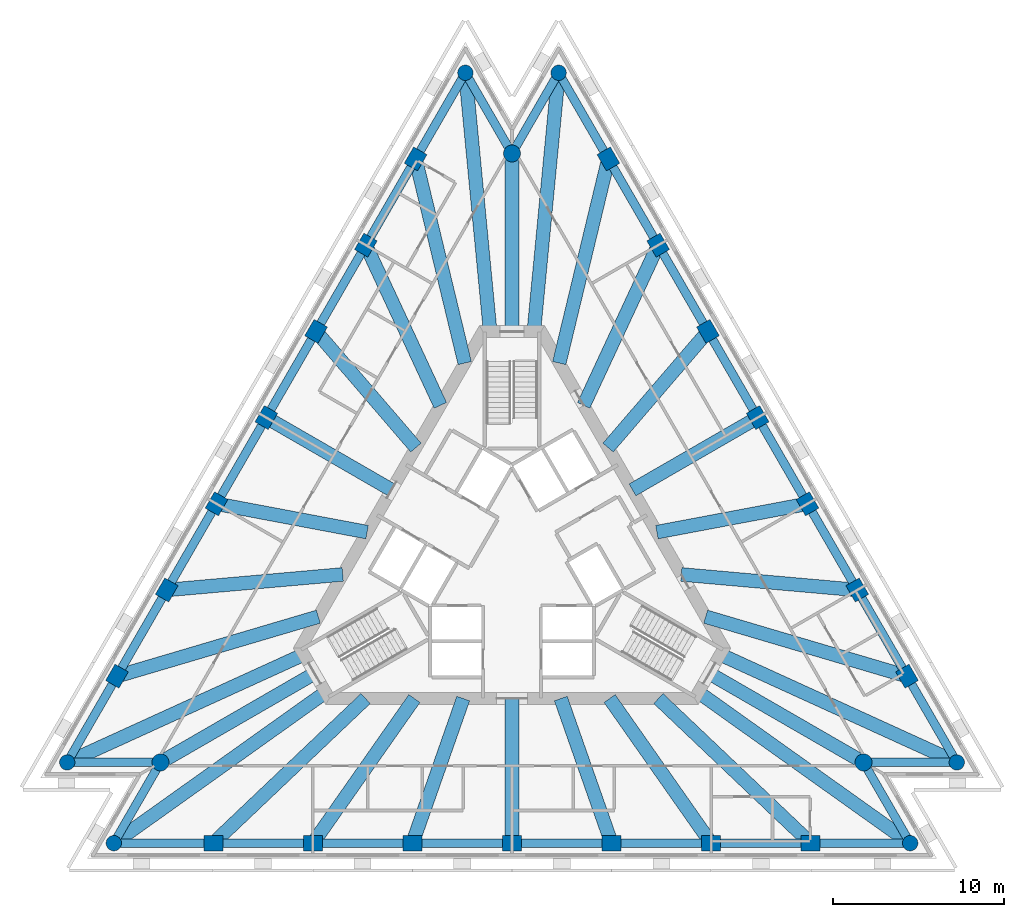
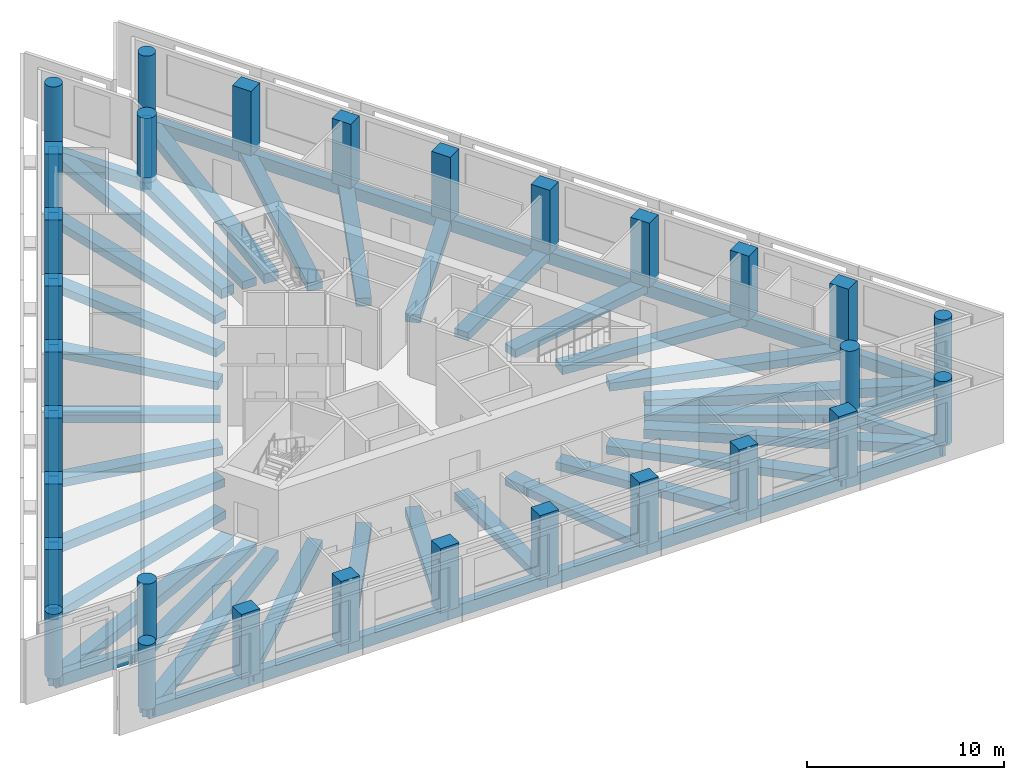
# One storey, part 1 of 10: 60 beams, 30 columns.
"""IFC4 building model written with IfcOpenShell, lengths in metres."""

from ifc_helpers import new_model, si_unit, direction, frame, origin, origin_2d, place, context, subcontext, project, spatial, rectangle, circle, extrude, material, material_profile, profile_set, type_object, element, save


model = new_model("IFC4")

# Units and contexts
model_context = context("Model", 3, precision=1e-05, world=origin(), true_north=direction((0.0, 1.0)))
body_context = subcontext(model_context, "Body", "Model", "MODEL_VIEW")
ifc_project = project(units=[si_unit("LENGTHUNIT", "METRE"), si_unit("AREAUNIT", "SQUARE_METRE"), si_unit("VOLUMEUNIT", "CUBIC_METRE"), si_unit("PLANEANGLEUNIT", "RADIAN"), si_unit("MASSUNIT", "GRAM", prefix="KILO")], contexts=[model_context])

# Site, building, storey
site_placement = place(None, origin())
site = spatial("IfcSite", under=ifc_project, at=site_placement, CompositionType="ELEMENT")
building_placement = place(site_placement, origin())
building = spatial("IfcBuilding", under=site, at=building_placement, Name="Triada Interchange Tower", CompositionType="ELEMENT")
storey_placement = place(building_placement, frame((0.0, 0.0, 247.300048828125)))
storey = spatial("IfcBuildingStorey", under=building, at=storey_placement, Name="L58", CompositionType="ELEMENT", Elevation=247.300048828125)

# Columns
ifc_material = material(Name="Concrete C50/60", Category="concrete")
ifc_material_profile_1 = material_profile(ifc_material, rectangle(XDim=1.10009765625, YDim=0.89990234375, at=origin_2d()), Name="RC 1100x900")
ifc_profile_set_1 = profile_set([ifc_material_profile_1], Name="Concrete C50/60")
column_type_1 = type_object("IfcColumnType", Name="Column C face RC 1100x900", PredefinedType="COLUMN", material=ifc_profile_set_1)
for number, where, z_axis, x_axis, name in (
    (1, (-5.64794921875, 23.466064453125, -0.300048828125), (0.0, 0.0, 1.0), (0.5, 0.866025403784, 0.0), "Column CC02 L58"),
    (2, (-8.56396484375, 18.4140625, -0.300048828125), (0.0, 0.0, 1.0), (0.5, 0.866025403784, 0.0), "Column CC03 L58"),
    (3, (-11.48095703125, 13.363037109375, -0.300048828125), (0.0, 0.0, 1.0), (0.5, 0.866025403784, 0.0), "Column CC04 L58"),
    (4, (-14.39697265625, 8.31201171875, -0.300048828125), (0.0, 0.0, 1.0), (0.5, 0.866025403784, 0.0), "Column CC05 L58"),
    (5, (-17.31298828125, 3.260986328125, -0.300048828125), (0.0, 0.0, 1.0), (0.5, 0.866025403784, 0.0), "Column CC06 L58"),
    (6, (-20.22998046875, -1.7900390625, -0.300048828125), (0.0, 0.0, 1.0), (0.5, 0.866025403784, 0.0), "Column CC07 L58"),
    (7, (-23.14599609375, -6.842041015625, -0.300048828125), (0.0, 0.0, 1.0), (0.5, 0.866025403784, 0.0), "Column CC08 L58"),
    (8, (-17.498046875, -16.6240234375, -0.300048828125), (0.0, 0.0, 1.0), (1.0, 0.0, 0.0), "Column CC11 L58"),
    (9, (-11.6650390625, -16.6240234375, -0.300048828125), (0.0, 0.0, 1.0), (1.0, 0.0, 0.0), "Column CC12 L58"),
    (10, (-5.83203125, -16.6240234375, -0.300048828125), (0.0, 0.0, 1.0), (1.0, 0.0, 0.0), "Column CC13 L58"),
    (11, (0.0, -16.6240234375, -0.300048828125), (0.0, 0.0, 1.0), (1.0, 0.0, 0.0), "Column CC14 L58"),
    (12, (5.83203125, -16.6240234375, -0.300048828125), (0.0, 0.0, 1.0), (1.0, 0.0, 0.0), "Column CC15 L58"),
    (13, (11.6650390625, -16.6240234375, -0.300048828125), (0.0, 0.0, 1.0), (1.0, 0.0, 0.0), "Column CC16 L58"),
    (14, (17.498046875, -16.6240234375, -0.300048828125), (0.0, 0.0, 1.0), (1.0, 0.0, 0.0), "Column CC17 L58"),
    (15, (23.14599609375, -6.842041015625, -0.300048828125), (0.0, 0.0, 1.0), (-0.5, 0.866025403784, 0.0), "Column CC20 L58"),
    (16, (20.22998046875, -1.791015625, -0.300048828125), (0.0, 0.0, 1.0), (-0.5, 0.866025403784, 0.0), "Column CC21 L58"),
    (17, (17.31298828125, 3.260986328125, -0.300048828125), (0.0, 0.0, 1.0), (-0.5, 0.866025403784, 0.0), "Column CC22 L58"),
    (18, (14.39697265625, 8.31201171875, -0.300048828125), (0.0, 0.0, 1.0), (-0.5, 0.866025403784, 0.0), "Column CC23 L58"),
    (19, (11.48095703125, 13.363037109375, -0.300048828125), (0.0, 0.0, 1.0), (-0.5, 0.866025403784, 0.0), "Column CC24 L58"),
    (20, (8.56396484375, 18.4140625, -0.300048828125), (0.0, 0.0, 1.0), (-0.5, 0.866025403784, 0.0), "Column CC25 L58"),
    (21, (5.64794921875, 23.466064453125, -0.300048828125), (0.0, 0.0, 1.0), (-0.5, 0.866025403784, 0.0), "Column CC26 L58"),
):
    element("IfcColumn", number, at=place(storey_placement, frame(where, z_axis=z_axis, x_axis=x_axis)), inside=storey, type_object=column_type_1, Name=name, PredefinedType="COLUMN", context=body_context, shape_type="SweptSolid", body=[
        extrude(rectangle(XDim=1.10009765625, YDim=0.89990234375, at=origin_2d()), origin(), (0.0, 0.0, 1.0), 4.0),
    ])
ifc_material_profile_2 = material_profile(ifc_material, circle(Radius=0.449951171875, at=origin_2d()), Name="RC D900")
ifc_profile_set_2 = profile_set([ifc_material_profile_2], Name="Concrete C50/60")
column_type_2 = type_object("IfcColumnType", Name="End column C RC D900", PredefinedType="COLUMN", material=ifc_profile_set_2)
for number, where, z_axis, x_axis, name in (
    (22, (-2.73193359375, 28.51708984375, -0.300048828125), (0.0, 0.0, 1.0), (0.5, 0.866025403784, 0.0), "Column CC01 L58"),
    (23, (-26.06201171875, -11.89306640625, -0.300048828125), (0.0, 0.0, 1.0), (0.5, 0.866025403784, 0.0), "Column CC09 L58"),
    (24, (-23.330078125, -16.6240234375, -0.300048828125), (0.0, 0.0, 1.0), (1.0, 0.0, 0.0), "Column CC10 L58"),
    (25, (23.330078125, -16.6240234375, -0.300048828125), (0.0, 0.0, 1.0), (1.0, 0.0, 0.0), "Column CC18 L58"),
    (26, (26.06201171875, -11.89306640625, -0.300048828125), (0.0, 0.0, 1.0), (-0.5, 0.866025403784, 0.0), "Column CC19 L58"),
    (27, (2.73193359375, 28.51708984375, -0.300048828125), (0.0, 0.0, 1.0), (-0.5, 0.866025403784, 0.0), "Column CC27 L58"),
):
    element("IfcColumn", number, at=place(storey_placement, frame(where, z_axis=z_axis, x_axis=x_axis)), inside=storey, type_object=column_type_2, Name=name, PredefinedType="COLUMN", context=body_context, shape_type="SweptSolid", body=[
        extrude(circle(Radius=0.449951171875, at=origin_2d()), origin(), (0.0, 0.0, 1.0), 4.0),
    ])
ifc_material_profile_3 = material_profile(ifc_material, circle(Radius=0.5, at=origin_2d()), Name="RC D1000")
ifc_profile_set_3 = profile_set([ifc_material_profile_3], Name="Concrete C50/60")
column_type_3 = type_object("IfcColumnType", Name="Mega column C RC D1000", PredefinedType="COLUMN", material=ifc_profile_set_3)
for number, where, z_axis, x_axis, name in (
    (28, (0.0, 23.784912109375, -0.300048828125), (0.0, 0.0, 1.0), (1.0, 0.0, 0.0), "Column MC1 L58"),
    (29, (-20.597900390625, -11.89306640625, -0.300048828125), (0.0, 0.0, 1.0), (1.0, 0.0, 0.0), "Column MC2 L58"),
    (30, (20.597900390625, -11.89306640625, -0.300048828125), (0.0, 0.0, 1.0), (1.0, 0.0, 0.0), "Column MC3 L58"),
):
    element("IfcColumn", number, at=place(storey_placement, frame(where, z_axis=z_axis, x_axis=x_axis)), inside=storey, type_object=column_type_3, Name=name, PredefinedType="COLUMN", context=body_context, shape_type="SweptSolid", body=[
        extrude(circle(Radius=0.5, at=origin_2d()), origin(), (0.0, 0.0, 1.0), 4.0),
    ])

# Beams
ifc_material_profile_4 = material_profile(ifc_material, rectangle(XDim=0.800048828125, YDim=0.5, at=origin_2d()), Name="RC 800x500")
ifc_profile_set_4 = profile_set([ifc_material_profile_4], Name="Concrete C50/60")
beam_type_1 = type_object("IfcBeamType", Name="Radial band beam C RC 800x500", PredefinedType="BEAM", material=ifc_profile_set_4)
beam_1_placement = place(storey_placement, frame((-5.64794921875, 23.466064453125, -0.550048828125), z_axis=(0.2339868033, -0.972239772835, 0.0), x_axis=(0.972239772835, 0.2339868033, 0.0)))
element("IfcBeam", 31, at=beam_1_placement, inside=storey, type_object=beam_type_1, Name="Radial band beam BC02 L58", PredefinedType="BEAM", context=body_context, shape_type="SweptSolid", body=[
    extrude(rectangle(XDim=0.800048828125, YDim=0.5, at=origin_2d()), origin(), (0.0, 0.0, 1.0), 12.3037109375),
])
beam_2_placement = place(storey_placement, frame((-8.56396484375, 18.4140625, -0.550048828125), z_axis=(0.421684301866, -0.906742714092, 0.0), x_axis=(0.906742714092, 0.421684301866, 0.0)))
element("IfcBeam", 32, at=beam_2_placement, inside=storey, type_object=beam_type_1, Name="Radial band beam BC03 L58", PredefinedType="BEAM", context=body_context, shape_type="SweptSolid", body=[
    extrude(rectangle(XDim=0.800048828125, YDim=0.5, at=origin_2d()), origin(), (0.0, 0.0, 1.0), 10.351318359375),
])
beam_3_placement = place(storey_placement, frame((-11.48095703125, 13.363037109375, -0.550048828125), z_axis=(0.651699799065, -0.758477008155, 0.0), x_axis=(0.758477008155, 0.651699799065, 0.0)))
element("IfcBeam", 33, at=beam_3_placement, inside=storey, type_object=beam_type_1, Name="Radial band beam BC04 L58", PredefinedType="BEAM", context=body_context, shape_type="SweptSolid", body=[
    extrude(rectangle(XDim=0.800048828125, YDim=0.5, at=origin_2d()), origin(), (0.0, 0.0, 1.0), 8.981201171875),
])
beam_4_placement = place(storey_placement, frame((-14.39697265625, 8.31201171875, -0.550048828125), z_axis=(0.866027263711, -0.4999967785, 0.0), x_axis=(0.4999967785, 0.866027263711, 0.0)))
element("IfcBeam", 34, at=beam_4_placement, inside=storey, type_object=beam_type_1, Name="Radial band beam BC05 L58", PredefinedType="BEAM", context=body_context, shape_type="SweptSolid", body=[
    extrude(rectangle(XDim=0.800048828125, YDim=0.5, at=origin_2d()), origin(), (0.0, 0.0, 1.0), 8.47412109375),
])
beam_5_placement = place(storey_placement, frame((-17.31298828125, 3.260986328125, -0.550048828125), z_axis=(0.982726919952, -0.185061613526, 0.0), x_axis=(0.185061613526, 0.982726919952, 0.0)))
element("IfcBeam", 35, at=beam_5_placement, inside=storey, type_object=beam_type_1, Name="Radial band beam BC06 L58", PredefinedType="BEAM", context=body_context, shape_type="SweptSolid", body=[
    extrude(rectangle(XDim=0.800048828125, YDim=0.5, at=origin_2d()), origin(), (0.0, 0.0, 1.0), 8.97998046875),
])
beam_6_placement = place(storey_placement, frame((-20.22998046875, -1.7900390625, -0.550048828125), z_axis=(0.996111733223, 0.088098892934, 0.0), x_axis=(-0.088098892934, 0.996111733223, 0.0)))
element("IfcBeam", 36, at=beam_6_placement, inside=storey, type_object=beam_type_1, Name="Radial band beam BC07 L58", PredefinedType="BEAM", context=body_context, shape_type="SweptSolid", body=[
    extrude(rectangle(XDim=0.800048828125, YDim=0.5, at=origin_2d()), origin(), (0.0, 0.0, 1.0), 10.353271484375),
])
beam_7_placement = place(storey_placement, frame((-23.14599609375, -6.842041015625, -0.550048828125), z_axis=(0.95897468421, 0.283491719533, 0.0), x_axis=(-0.283491719533, 0.95897468421, 0.0)))
element("IfcBeam", 37, at=beam_7_placement, inside=storey, type_object=beam_type_1, Name="Radial band beam BC08 L58", PredefinedType="BEAM", context=body_context, shape_type="SweptSolid", body=[
    extrude(rectangle(XDim=0.800048828125, YDim=0.5, at=origin_2d()), origin(), (0.0, 0.0, 1.0), 12.303955078125),
])
beam_8_placement = place(storey_placement, frame((-20.597900390625, -11.89306640625, -0.550048828125), z_axis=(0.866001293771, 0.500041757443, 0.0), x_axis=(-0.500041757443, 0.866001293771, 0.0)))
element("IfcBeam", 38, at=beam_8_placement, inside=storey, type_object=beam_type_1, Name="Radial band beam BC10 L58", PredefinedType="BEAM", context=body_context, shape_type="SweptSolid", body=[
    extrude(rectangle(XDim=0.800048828125, YDim=0.5, at=origin_2d()), origin(), (0.0, 0.0, 1.0), 10.43505859375),
])
beam_9_placement = place(storey_placement, frame((-17.498046875, -16.6240234375, -0.550048828125), z_axis=(0.725000919856, 0.688747897425, 0.0), x_axis=(-0.688747897425, 0.725000919856, 0.0)))
element("IfcBeam", 39, at=beam_9_placement, inside=storey, type_object=beam_type_1, Name="Radial band beam BC12 L58", PredefinedType="BEAM", context=body_context, shape_type="SweptSolid", body=[
    extrude(rectangle(XDim=0.800048828125, YDim=0.5, at=origin_2d()), origin(), (0.0, 0.0, 1.0), 12.3037109375),
])
beam_10_placement = place(storey_placement, frame((-11.6650390625, -16.6240234375, -0.550048828125), z_axis=(0.574380005921, 0.818588791029, 0.0), x_axis=(-0.818588791029, 0.574380005921, 0.0)))
element("IfcBeam", 40, at=beam_10_placement, inside=storey, type_object=beam_type_1, Name="Radial band beam BC13 L58", PredefinedType="BEAM", context=body_context, shape_type="SweptSolid", body=[
    extrude(rectangle(XDim=0.800048828125, YDim=0.5, at=origin_2d()), origin(), (0.0, 0.0, 1.0), 10.35205078125),
])
beam_11_placement = place(storey_placement, frame((-5.83203125, -16.6240234375, -0.550048828125), z_axis=(0.331064781468, 0.943608027982, 0.0), x_axis=(-0.943608027982, 0.331064781468, 0.0)))
element("IfcBeam", 41, at=beam_11_placement, inside=storey, type_object=beam_type_1, Name="Radial band beam BC14 L58", PredefinedType="BEAM", context=body_context, shape_type="SweptSolid", body=[
    extrude(rectangle(XDim=0.800048828125, YDim=0.5, at=origin_2d()), origin(), (0.0, 0.0, 1.0), 8.98046875),
])
beam_12_placement = place(storey_placement, frame((0.0, -16.6240234375, -0.550048828125), z_axis=(0.0, 1.0, 0.0), x_axis=(-1.0, 0.0, 0.0)))
element("IfcBeam", 42, at=beam_12_placement, inside=storey, type_object=beam_type_1, Name="Radial band beam BC15 L58", PredefinedType="BEAM", context=body_context, shape_type="SweptSolid", body=[
    extrude(rectangle(XDim=0.800048828125, YDim=0.5, at=origin_2d()), origin(), (0.0, 0.0, 1.0), 8.47412109375),
])
beam_13_placement = place(storey_placement, frame((5.83203125, -16.6240234375, -0.550048828125), z_axis=(-0.331064781468, 0.943608027982, 0.0), x_axis=(-0.943608027982, -0.331064781468, 0.0)))
element("IfcBeam", 43, at=beam_13_placement, inside=storey, type_object=beam_type_1, Name="Radial band beam BC16 L58", PredefinedType="BEAM", context=body_context, shape_type="SweptSolid", body=[
    extrude(rectangle(XDim=0.800048828125, YDim=0.5, at=origin_2d()), origin(), (0.0, 0.0, 1.0), 8.98046875),
])
beam_14_placement = place(storey_placement, frame((11.6650390625, -16.6240234375, -0.550048828125), z_axis=(-0.574380005921, 0.818588791029, 0.0), x_axis=(-0.818588791029, -0.574380005921, 0.0)))
element("IfcBeam", 44, at=beam_14_placement, inside=storey, type_object=beam_type_1, Name="Radial band beam BC17 L58", PredefinedType="BEAM", context=body_context, shape_type="SweptSolid", body=[
    extrude(rectangle(XDim=0.800048828125, YDim=0.5, at=origin_2d()), origin(), (0.0, 0.0, 1.0), 10.35205078125),
])
beam_15_placement = place(storey_placement, frame((17.498046875, -16.6240234375, -0.550048828125), z_axis=(-0.725000919856, 0.688747897425, 0.0), x_axis=(-0.688747897425, -0.725000919856, 0.0)))
element("IfcBeam", 45, at=beam_15_placement, inside=storey, type_object=beam_type_1, Name="Radial band beam BC18 L58", PredefinedType="BEAM", context=body_context, shape_type="SweptSolid", body=[
    extrude(rectangle(XDim=0.800048828125, YDim=0.5, at=origin_2d()), origin(), (0.0, 0.0, 1.0), 12.3037109375),
])
beam_16_placement = place(storey_placement, frame((20.597900390625, -11.89306640625, -0.550048828125), z_axis=(-0.866001293771, 0.500041757443, 0.0), x_axis=(-0.500041757443, -0.866001293771, 0.0)))
element("IfcBeam", 46, at=beam_16_placement, inside=storey, type_object=beam_type_1, Name="Radial band beam BC20 L58", PredefinedType="BEAM", context=body_context, shape_type="SweptSolid", body=[
    extrude(rectangle(XDim=0.800048828125, YDim=0.5, at=origin_2d()), origin(), (0.0, 0.0, 1.0), 10.43505859375),
])
beam_17_placement = place(storey_placement, frame((23.14599609375, -6.842041015625, -0.550048828125), z_axis=(-0.95897468421, 0.283491719533, 0.0), x_axis=(-0.283491719533, -0.95897468421, 0.0)))
element("IfcBeam", 47, at=beam_17_placement, inside=storey, type_object=beam_type_1, Name="Radial band beam BC22 L58", PredefinedType="BEAM", context=body_context, shape_type="SweptSolid", body=[
    extrude(rectangle(XDim=0.800048828125, YDim=0.5, at=origin_2d()), origin(), (0.0, 0.0, 1.0), 12.303955078125),
])
beam_18_placement = place(storey_placement, frame((20.22998046875, -1.791015625, -0.550048828125), z_axis=(-0.996102717596, 0.08820077096, 0.0), x_axis=(-0.08820077096, -0.996102717596, 0.0)))
element("IfcBeam", 48, at=beam_18_placement, inside=storey, type_object=beam_type_1, Name="Radial band beam BC23 L58", PredefinedType="BEAM", context=body_context, shape_type="SweptSolid", body=[
    extrude(rectangle(XDim=0.800048828125, YDim=0.5, at=origin_2d()), origin(), (0.0, 0.0, 1.0), 10.352294921875),
])
beam_19_placement = place(storey_placement, frame((17.31298828125, 3.260986328125, -0.550048828125), z_axis=(-0.982726919952, -0.185061613526, 0.0), x_axis=(0.185061613526, -0.982726919952, 0.0)))
element("IfcBeam", 49, at=beam_19_placement, inside=storey, type_object=beam_type_1, Name="Radial band beam BC24 L58", PredefinedType="BEAM", context=body_context, shape_type="SweptSolid", body=[
    extrude(rectangle(XDim=0.800048828125, YDim=0.5, at=origin_2d()), origin(), (0.0, 0.0, 1.0), 8.97998046875),
])
beam_20_placement = place(storey_placement, frame((14.39697265625, 8.31201171875, -0.550048828125), z_axis=(-0.866027263711, -0.4999967785, 0.0), x_axis=(0.4999967785, -0.866027263711, 0.0)))
element("IfcBeam", 50, at=beam_20_placement, inside=storey, type_object=beam_type_1, Name="Radial band beam BC25 L58", PredefinedType="BEAM", context=body_context, shape_type="SweptSolid", body=[
    extrude(rectangle(XDim=0.800048828125, YDim=0.5, at=origin_2d()), origin(), (0.0, 0.0, 1.0), 8.47412109375),
])
beam_21_placement = place(storey_placement, frame((11.48095703125, 13.363037109375, -0.550048828125), z_axis=(-0.651699799065, -0.758477008155, 0.0), x_axis=(0.758477008155, -0.651699799065, 0.0)))
element("IfcBeam", 51, at=beam_21_placement, inside=storey, type_object=beam_type_1, Name="Radial band beam BC26 L58", PredefinedType="BEAM", context=body_context, shape_type="SweptSolid", body=[
    extrude(rectangle(XDim=0.800048828125, YDim=0.5, at=origin_2d()), origin(), (0.0, 0.0, 1.0), 8.981201171875),
])
beam_22_placement = place(storey_placement, frame((8.56396484375, 18.4140625, -0.550048828125), z_axis=(-0.421684301866, -0.906742714092, 0.0), x_axis=(0.906742714092, -0.421684301866, 0.0)))
element("IfcBeam", 52, at=beam_22_placement, inside=storey, type_object=beam_type_1, Name="Radial band beam BC27 L58", PredefinedType="BEAM", context=body_context, shape_type="SweptSolid", body=[
    extrude(rectangle(XDim=0.800048828125, YDim=0.5, at=origin_2d()), origin(), (0.0, 0.0, 1.0), 10.351318359375),
])
beam_23_placement = place(storey_placement, frame((5.64794921875, 23.466064453125, -0.550048828125), z_axis=(-0.2339868033, -0.972239772835, 0.0), x_axis=(0.972239772835, -0.2339868033, 0.0)))
element("IfcBeam", 53, at=beam_23_placement, inside=storey, type_object=beam_type_1, Name="Radial band beam BC28 L58", PredefinedType="BEAM", context=body_context, shape_type="SweptSolid", body=[
    extrude(rectangle(XDim=0.800048828125, YDim=0.5, at=origin_2d()), origin(), (0.0, 0.0, 1.0), 12.3037109375),
])
beam_24_placement = place(storey_placement, frame((0.0, 23.784912109375, -0.550048828125), z_axis=(0.0, -1.0, 0.0), x_axis=(1.0, 0.0, 0.0)))
element("IfcBeam", 54, at=beam_24_placement, inside=storey, type_object=beam_type_1, Name="Radial band beam BC30 L58", PredefinedType="BEAM", context=body_context, shape_type="SweptSolid", body=[
    extrude(rectangle(XDim=0.800048828125, YDim=0.5, at=origin_2d()), origin(), (0.0, 0.0, 1.0), 10.434814453125),
])
ifc_material_profile_5 = material_profile(ifc_material, rectangle(XDim=0.800048828125, YDim=0.60009765625, at=origin_2d()), Name="RC 800x600")
ifc_profile_set_5 = profile_set([ifc_material_profile_5], Name="Concrete C50/60")
beam_type_2 = type_object("IfcBeamType", Name="Radial band beam C RC 800x600", PredefinedType="BEAM", material=ifc_profile_set_5)
beam_25_placement = place(storey_placement, frame((-2.73193359375, 28.51708984375, -0.60009765625), z_axis=(0.095355785386, -0.995443255135, 0.0), x_axis=(0.995443255135, 0.095355785386, 0.0)))
element("IfcBeam", 55, at=beam_25_placement, inside=storey, type_object=beam_type_2, Name="Radial band beam BC01 L58", PredefinedType="BEAM", context=body_context, shape_type="SweptSolid", body=[
    extrude(rectangle(XDim=0.800048828125, YDim=0.60009765625, at=origin_2d()), origin(), (0.0, 0.0, 1.0), 15.236328125),
])
beam_26_placement = place(storey_placement, frame((-26.06201171875, -11.89306640625, -0.60009765625), z_axis=(0.909760765154, 0.415132930742, 0.0), x_axis=(-0.415132930742, 0.909760765154, 0.0)))
element("IfcBeam", 56, at=beam_26_placement, inside=storey, type_object=beam_type_2, Name="Radial band beam BC09 L58", PredefinedType="BEAM", context=body_context, shape_type="SweptSolid", body=[
    extrude(rectangle(XDim=0.800048828125, YDim=0.60009765625, at=origin_2d()), origin(), (0.0, 0.0, 1.0), 15.236083984375),
])
for number, where, z_axis, x_axis, name in (
    (57, (-23.330078125, -16.6240234375, -0.60009765625), (0.814408545207, 0.58029192782, 0.0), (-0.58029192782, 0.814408545207, 0.0), "Radial band beam BC11 L58"),
    (58, (23.330078125, -16.6240234375, -0.60009765625), (-0.814408545207, 0.58029192782, 0.0), (-0.58029192782, -0.814408545207, 0.0), "Radial band beam BC19 L58"),
):
    element("IfcBeam", number, at=place(storey_placement, frame(where, z_axis=z_axis, x_axis=x_axis)), inside=storey, type_object=beam_type_2, Name=name, PredefinedType="BEAM", context=body_context, shape_type="SweptSolid", body=[
        extrude(rectangle(XDim=0.800048828125, YDim=0.60009765625, at=origin_2d()), origin(), (0.0, 0.0, 1.0), 15.235595703125),
    ])
beam_27_placement = place(storey_placement, frame((26.06201171875, -11.89306640625, -0.60009765625), z_axis=(-0.909760765154, 0.415132930742, 0.0), x_axis=(-0.415132930742, -0.909760765154, 0.0)))
element("IfcBeam", 59, at=beam_27_placement, inside=storey, type_object=beam_type_2, Name="Radial band beam BC21 L58", PredefinedType="BEAM", context=body_context, shape_type="SweptSolid", body=[
    extrude(rectangle(XDim=0.800048828125, YDim=0.60009765625, at=origin_2d()), origin(), (0.0, 0.0, 1.0), 15.236083984375),
])
beam_28_placement = place(storey_placement, frame((2.73193359375, 28.51708984375, -0.60009765625), z_axis=(-0.095355785386, -0.995443255135, 0.0), x_axis=(0.995443255135, -0.095355785386, 0.0)))
element("IfcBeam", 60, at=beam_28_placement, inside=storey, type_object=beam_type_2, Name="Radial band beam BC29 L58", PredefinedType="BEAM", context=body_context, shape_type="SweptSolid", body=[
    extrude(rectangle(XDim=0.800048828125, YDim=0.60009765625, at=origin_2d()), origin(), (0.0, 0.0, 1.0), 15.236328125),
])
ifc_material_profile_6 = material_profile(ifc_material, rectangle(XDim=0.5, YDim=0.75, at=origin_2d()), Name="RC 500x750")
ifc_profile_set_6 = profile_set([ifc_material_profile_6], Name="Concrete C50/60")
beam_type_3 = type_object("IfcBeamType", Name="Spandrel beam C RC 500x750", PredefinedType="BEAM", material=ifc_profile_set_6)
beam_29_placement = place(storey_placement, frame((-2.73193359375, 28.51708984375, -0.675048828125), z_axis=(-0.499974892651, -0.866039899034, 0.0), x_axis=(0.866039899034, -0.499974892651, 0.0)))
element("IfcBeam", 61, at=beam_29_placement, inside=storey, type_object=beam_type_3, Name="Spandrel beam EC01 L58", PredefinedType="BEAM", context=body_context, shape_type="SweptSolid", body=[
    extrude(rectangle(XDim=0.5, YDim=0.75, at=origin_2d()), origin(), (0.0, 0.0, 1.0), 5.832275390625),
])
beam_30_placement = place(storey_placement, frame((-5.64794921875, 23.466064453125, -0.675048828125), z_axis=(-0.49990240033, -0.866081745648, 0.0), x_axis=(0.866081745648, -0.49990240033, 0.0)))
element("IfcBeam", 62, at=beam_30_placement, inside=storey, type_object=beam_type_3, Name="Spandrel beam EC02 L58", PredefinedType="BEAM", context=body_context, shape_type="SweptSolid", body=[
    extrude(rectangle(XDim=0.5, YDim=0.75, at=origin_2d()), origin(), (0.0, 0.0, 1.0), 5.833251953125),
])
beam_31_placement = place(storey_placement, frame((-8.56396484375, 18.4140625, -0.675048828125), z_axis=(-0.500100460847, -0.865967394917, 0.0), x_axis=(0.865967394917, -0.500100460847, 0.0)))
element("IfcBeam", 63, at=beam_31_placement, inside=storey, type_object=beam_type_3, Name="Spandrel beam EC03 L58", PredefinedType="BEAM", context=body_context, shape_type="SweptSolid", body=[
    extrude(rectangle(XDim=0.5, YDim=0.75, at=origin_2d()), origin(), (0.0, 0.0, 1.0), 5.832763671875),
])
for number, where, z_axis, x_axis, name in (
    (64, (-11.48095703125, 13.363037109375, -0.675048828125), (-0.499974892651, -0.866039899034, 0.0), (0.866039899034, -0.499974892651, 0.0), "Spandrel beam EC04 L58"),
    (65, (-14.39697265625, 8.31201171875, -0.675048828125), (-0.499974892651, -0.866039899034, 0.0), (0.866039899034, -0.499974892651, 0.0), "Spandrel beam EC05 L58"),
):
    element("IfcBeam", number, at=place(storey_placement, frame(where, z_axis=z_axis, x_axis=x_axis)), inside=storey, type_object=beam_type_3, Name=name, PredefinedType="BEAM", context=body_context, shape_type="SweptSolid", body=[
        extrude(rectangle(XDim=0.5, YDim=0.75, at=origin_2d()), origin(), (0.0, 0.0, 1.0), 5.832275390625),
    ])
beam_32_placement = place(storey_placement, frame((-17.31298828125, 3.260986328125, -0.675048828125), z_axis=(-0.500100460847, -0.865967394917, 0.0), x_axis=(0.865967394917, -0.500100460847, 0.0)))
element("IfcBeam", 66, at=beam_32_placement, inside=storey, type_object=beam_type_3, Name="Spandrel beam EC06 L58", PredefinedType="BEAM", context=body_context, shape_type="SweptSolid", body=[
    extrude(rectangle(XDim=0.5, YDim=0.75, at=origin_2d()), origin(), (0.0, 0.0, 1.0), 5.832763671875),
])
beam_33_placement = place(storey_placement, frame((-20.22998046875, -1.7900390625, -0.675048828125), z_axis=(-0.49990240033, -0.866081745648, 0.0), x_axis=(0.866081745648, -0.49990240033, 0.0)))
element("IfcBeam", 67, at=beam_33_placement, inside=storey, type_object=beam_type_3, Name="Spandrel beam EC07 L58", PredefinedType="BEAM", context=body_context, shape_type="SweptSolid", body=[
    extrude(rectangle(XDim=0.5, YDim=0.75, at=origin_2d()), origin(), (0.0, 0.0, 1.0), 5.833251953125),
])
beam_34_placement = place(storey_placement, frame((-23.14599609375, -6.842041015625, -0.675048828125), z_axis=(-0.499974892651, -0.866039899034, 0.0), x_axis=(0.866039899034, -0.499974892651, 0.0)))
element("IfcBeam", 68, at=beam_34_placement, inside=storey, type_object=beam_type_3, Name="Spandrel beam EC08 L58", PredefinedType="BEAM", context=body_context, shape_type="SweptSolid", body=[
    extrude(rectangle(XDim=0.5, YDim=0.75, at=origin_2d()), origin(), (0.0, 0.0, 1.0), 5.832275390625),
])
beam_35_placement = place(storey_placement, frame((-26.06201171875, -11.89306640625, -0.675048828125), z_axis=(1.0, 0.0, 0.0), x_axis=(0.0, 1.0, 0.0)))
element("IfcBeam", 69, at=beam_35_placement, inside=storey, type_object=beam_type_3, Name="Spandrel beam EC09 L58", PredefinedType="BEAM", context=body_context, shape_type="SweptSolid", body=[
    extrude(rectangle(XDim=0.5, YDim=0.75, at=origin_2d()), origin(), (0.0, 0.0, 1.0), 5.464111328125),
])
beam_36_placement = place(storey_placement, frame((-20.597900390625, -11.89306640625, -0.675048828125), z_axis=(-0.500104113439, -0.865965285517, 0.0), x_axis=(0.865965285517, -0.500104113439, 0.0)))
element("IfcBeam", 70, at=beam_36_placement, inside=storey, type_object=beam_type_3, Name="Spandrel beam EC10 L58", PredefinedType="BEAM", context=body_context, shape_type="SweptSolid", body=[
    extrude(rectangle(XDim=0.5, YDim=0.75, at=origin_2d()), origin(), (0.0, 0.0, 1.0), 5.463134765625),
])
beam_37_placement = place(storey_placement, frame((-23.330078125, -16.6240234375, -0.675048828125), z_axis=(1.0, 0.0, 0.0), x_axis=(0.0, 1.0, 0.0)))
element("IfcBeam", 71, at=beam_37_placement, inside=storey, type_object=beam_type_3, Name="Spandrel beam EC11 L58", PredefinedType="BEAM", context=body_context, shape_type="SweptSolid", body=[
    extrude(rectangle(XDim=0.5, YDim=0.75, at=origin_2d()), origin(), (0.0, 0.0, 1.0), 5.83203125),
])
for number, where, z_axis, x_axis, name in (
    (72, (-17.498046875, -16.6240234375, -0.675048828125), (1.0, 0.0, 0.0), (0.0, 1.0, 0.0), "Spandrel beam EC12 L58"),
    (73, (-11.6650390625, -16.6240234375, -0.675048828125), (1.0, 0.0, 0.0), (0.0, 1.0, 0.0), "Spandrel beam EC13 L58"),
):
    element("IfcBeam", number, at=place(storey_placement, frame(where, z_axis=z_axis, x_axis=x_axis)), inside=storey, type_object=beam_type_3, Name=name, PredefinedType="BEAM", context=body_context, shape_type="SweptSolid", body=[
        extrude(rectangle(XDim=0.5, YDim=0.75, at=origin_2d()), origin(), (0.0, 0.0, 1.0), 5.8330078125),
    ])
for number, where, z_axis, x_axis, name in (
    (74, (-5.83203125, -16.6240234375, -0.675048828125), (1.0, 0.0, 0.0), (0.0, 1.0, 0.0), "Spandrel beam EC14 L58"),
    (75, (0.0, -16.6240234375, -0.675048828125), (1.0, 0.0, 0.0), (0.0, 1.0, 0.0), "Spandrel beam EC15 L58"),
):
    element("IfcBeam", number, at=place(storey_placement, frame(where, z_axis=z_axis, x_axis=x_axis)), inside=storey, type_object=beam_type_3, Name=name, PredefinedType="BEAM", context=body_context, shape_type="SweptSolid", body=[
        extrude(rectangle(XDim=0.5, YDim=0.75, at=origin_2d()), origin(), (0.0, 0.0, 1.0), 5.83203125),
    ])
for number, where, z_axis, x_axis, name in (
    (76, (5.83203125, -16.6240234375, -0.675048828125), (1.0, 0.0, 0.0), (0.0, 1.0, 0.0), "Spandrel beam EC16 L58"),
    (77, (11.6650390625, -16.6240234375, -0.675048828125), (1.0, 0.0, 0.0), (0.0, 1.0, 0.0), "Spandrel beam EC17 L58"),
):
    element("IfcBeam", number, at=place(storey_placement, frame(where, z_axis=z_axis, x_axis=x_axis)), inside=storey, type_object=beam_type_3, Name=name, PredefinedType="BEAM", context=body_context, shape_type="SweptSolid", body=[
        extrude(rectangle(XDim=0.5, YDim=0.75, at=origin_2d()), origin(), (0.0, 0.0, 1.0), 5.8330078125),
    ])
beam_38_placement = place(storey_placement, frame((17.498046875, -16.6240234375, -0.675048828125), z_axis=(1.0, 0.0, 0.0), x_axis=(0.0, 1.0, 0.0)))
element("IfcBeam", 78, at=beam_38_placement, inside=storey, type_object=beam_type_3, Name="Spandrel beam EC18 L58", PredefinedType="BEAM", context=body_context, shape_type="SweptSolid", body=[
    extrude(rectangle(XDim=0.5, YDim=0.75, at=origin_2d()), origin(), (0.0, 0.0, 1.0), 5.83203125),
])
beam_39_placement = place(storey_placement, frame((23.330078125, -16.6240234375, -0.675048828125), z_axis=(-0.500104113439, 0.865965285517, 0.0), x_axis=(-0.865965285517, -0.500104113439, 0.0)))
element("IfcBeam", 79, at=beam_39_placement, inside=storey, type_object=beam_type_3, Name="Spandrel beam EC19 L58", PredefinedType="BEAM", context=body_context, shape_type="SweptSolid", body=[
    extrude(rectangle(XDim=0.5, YDim=0.75, at=origin_2d()), origin(), (0.0, 0.0, 1.0), 5.463134765625),
])
beam_40_placement = place(storey_placement, frame((20.597900390625, -11.89306640625, -0.675048828125), z_axis=(1.0, 0.0, 0.0), x_axis=(0.0, 1.0, 0.0)))
element("IfcBeam", 80, at=beam_40_placement, inside=storey, type_object=beam_type_3, Name="Spandrel beam EC20 L58", PredefinedType="BEAM", context=body_context, shape_type="SweptSolid", body=[
    extrude(rectangle(XDim=0.5, YDim=0.75, at=origin_2d()), origin(), (0.0, 0.0, 1.0), 5.464111328125),
])
for number, where, z_axis, x_axis, name in (
    (81, (26.06201171875, -11.89306640625, -0.675048828125), (-0.499974892651, 0.866039899034, 0.0), (-0.866039899034, -0.499974892651, 0.0), "Spandrel beam EC21 L58"),
    (82, (23.14599609375, -6.842041015625, -0.675048828125), (-0.499974892651, 0.866039899034, 0.0), (-0.866039899034, -0.499974892651, 0.0), "Spandrel beam EC22 L58"),
):
    element("IfcBeam", number, at=place(storey_placement, frame(where, z_axis=z_axis, x_axis=x_axis)), inside=storey, type_object=beam_type_3, Name=name, PredefinedType="BEAM", context=body_context, shape_type="SweptSolid", body=[
        extrude(rectangle(XDim=0.5, YDim=0.75, at=origin_2d()), origin(), (0.0, 0.0, 1.0), 5.832275390625),
    ])
beam_41_placement = place(storey_placement, frame((20.22998046875, -1.791015625, -0.675048828125), z_axis=(-0.500027962457, 0.86600925905, 0.0), x_axis=(-0.86600925905, -0.500027962457, 0.0)))
element("IfcBeam", 83, at=beam_41_placement, inside=storey, type_object=beam_type_3, Name="Spandrel beam EC23 L58", PredefinedType="BEAM", context=body_context, shape_type="SweptSolid", body=[
    extrude(rectangle(XDim=0.5, YDim=0.75, at=origin_2d()), origin(), (0.0, 0.0, 1.0), 5.833740234375),
])
for number, where, z_axis, x_axis, name in (
    (84, (17.31298828125, 3.260986328125, -0.675048828125), (-0.499974892651, 0.866039899034, 0.0), (-0.866039899034, -0.499974892651, 0.0), "Spandrel beam EC24 L58"),
    (85, (14.39697265625, 8.31201171875, -0.675048828125), (-0.499974892651, 0.866039899034, 0.0), (-0.866039899034, -0.499974892651, 0.0), "Spandrel beam EC25 L58"),
):
    element("IfcBeam", number, at=place(storey_placement, frame(where, z_axis=z_axis, x_axis=x_axis)), inside=storey, type_object=beam_type_3, Name=name, PredefinedType="BEAM", context=body_context, shape_type="SweptSolid", body=[
        extrude(rectangle(XDim=0.5, YDim=0.75, at=origin_2d()), origin(), (0.0, 0.0, 1.0), 5.832275390625),
    ])
beam_42_placement = place(storey_placement, frame((11.48095703125, 13.363037109375, -0.675048828125), z_axis=(-0.500100460847, 0.865967394917, 0.0), x_axis=(-0.865967394917, -0.500100460847, 0.0)))
element("IfcBeam", 86, at=beam_42_placement, inside=storey, type_object=beam_type_3, Name="Spandrel beam EC26 L58", PredefinedType="BEAM", context=body_context, shape_type="SweptSolid", body=[
    extrude(rectangle(XDim=0.5, YDim=0.75, at=origin_2d()), origin(), (0.0, 0.0, 1.0), 5.832763671875),
])
beam_43_placement = place(storey_placement, frame((8.56396484375, 18.4140625, -0.675048828125), z_axis=(-0.49990240033, 0.866081745648, 0.0), x_axis=(-0.866081745648, -0.49990240033, 0.0)))
element("IfcBeam", 87, at=beam_43_placement, inside=storey, type_object=beam_type_3, Name="Spandrel beam EC27 L58", PredefinedType="BEAM", context=body_context, shape_type="SweptSolid", body=[
    extrude(rectangle(XDim=0.5, YDim=0.75, at=origin_2d()), origin(), (0.0, 0.0, 1.0), 5.833251953125),
])
beam_44_placement = place(storey_placement, frame((5.64794921875, 23.466064453125, -0.675048828125), z_axis=(-0.499974892651, 0.866039899034, 0.0), x_axis=(-0.866039899034, -0.499974892651, 0.0)))
element("IfcBeam", 88, at=beam_44_placement, inside=storey, type_object=beam_type_3, Name="Spandrel beam EC28 L58", PredefinedType="BEAM", context=body_context, shape_type="SweptSolid", body=[
    extrude(rectangle(XDim=0.5, YDim=0.75, at=origin_2d()), origin(), (0.0, 0.0, 1.0), 5.832275390625),
])
for number, where, z_axis, x_axis, name in (
    (89, (2.73193359375, 28.51708984375, -0.675048828125), (-0.499973852758, -0.866040499375, 0.0), (0.866040499375, -0.499973852758, 0.0), "Spandrel beam EC29 L58"),
    (90, (0.0, 23.784912109375, -0.675048828125), (-0.499973852758, 0.866040499375, 0.0), (-0.866040499375, -0.499973852758, 0.0), "Spandrel beam EC30 L58"),
):
    element("IfcBeam", number, at=place(storey_placement, frame(where, z_axis=z_axis, x_axis=x_axis)), inside=storey, type_object=beam_type_3, Name=name, PredefinedType="BEAM", context=body_context, shape_type="SweptSolid", body=[
        extrude(rectangle(XDim=0.5, YDim=0.75, at=origin_2d()), origin(), (0.0, 0.0, 1.0), 5.464111328125),
    ])

save(model, "model.ifc")
